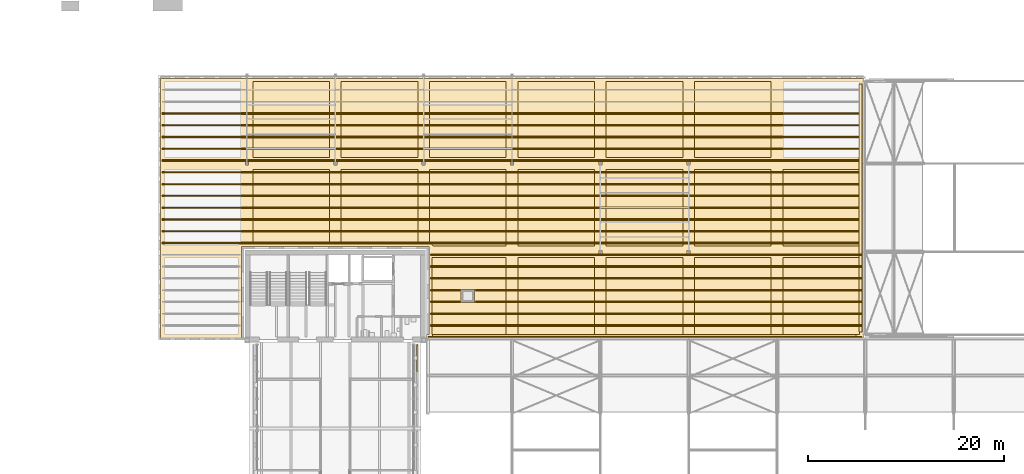
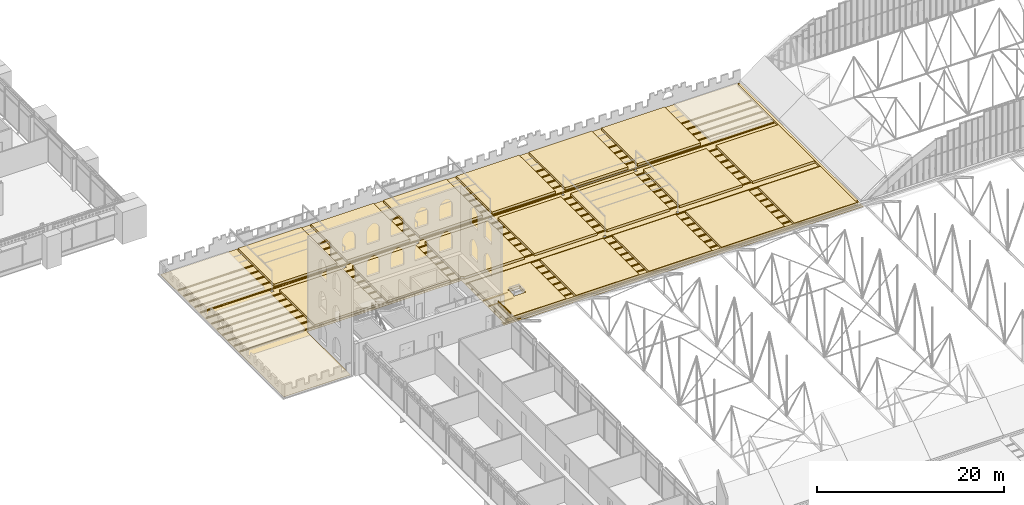
# One storey, part 143 of 153: 43 coverings, 1 shading device.
"""IFC4 building model written with IfcOpenShell, lengths in metres."""

from ifc_helpers import new_model, si_unit, direction, frame, origin, origin_2d, place, context, subcontext, project, spatial, polyline, rectangle, outline, extrude, material, layer, layer_set, type_object, element, save


model = new_model("IFC4")

# Units and contexts
model_context = context("Model", 3, precision=1e-05, world=origin(), true_north=direction((0.0, 1.0)))
body_context = subcontext(model_context, "Body", "Model", "MODEL_VIEW")
ifc_project = project(units=[si_unit("LENGTHUNIT", "METRE"), si_unit("AREAUNIT", "SQUARE_METRE"), si_unit("VOLUMEUNIT", "CUBIC_METRE"), si_unit("PLANEANGLEUNIT", "RADIAN"), si_unit("MASSUNIT", "GRAM", prefix="KILO")], contexts=[model_context])

# Site, building, storey
site_placement = place(None, origin())
site = spatial("IfcSite", under=ifc_project, at=site_placement, CompositionType="ELEMENT")
building_placement = place(site_placement, origin())
building = spatial("IfcBuilding", under=site, at=building_placement, Name="Baradari Gate Terminus", CompositionType="ELEMENT")
storey_placement = place(building_placement, frame((0.0, 0.0, 11.699951171875)))
storey = spatial("IfcBuildingStorey", under=building, at=storey_placement, Name="L02", CompositionType="ELEMENT", Elevation=11.699951171875)

# Coverings
ifc_material_1 = material(Name="Galvanised steel", Category="steel")
ifc_layer_1 = layer(ifc_material_1, 0.0029296875)
ifc_layer_set_1 = layer_set([ifc_layer_1], Name="Galvanised steel")
covering_type_1 = type_object("IfcCoveringType", Name="Eaves gutter GT-1", PredefinedType="USERDEFINED", material=ifc_layer_set_1)
covering_1_placement = place(storey_placement, frame((134.481201171875, 94.47509765625, 0.080078125), z_axis=(0.0, 0.0, 1.0), x_axis=(1.0, 0.0, 0.0)))
element("IfcCovering", 1, at=covering_1_placement, inside=storey, type_object=covering_type_1, Name="Eaves gutter W", ObjectType="GUTTER", PredefinedType="USERDEFINED", context=body_context, shape_type="SweptSolid", body=[
    extrude(rectangle(XDim=0.300048828125, YDim=25.25, at=origin_2d()), origin(), (0.0, 0.0, 1.0), 0.27001953125),
])
covering_2_placement = place(storey_placement, frame((112.4658203125, 81.449951171875, 0.030029296875), z_axis=(0.0, 0.0, 1.0), x_axis=(1.0, 0.0, 0.0)))
element("IfcCovering", 2, at=covering_2_placement, inside=storey, type_object=covering_type_1, Name="Eaves gutter SW", ObjectType="GUTTER", PredefinedType="USERDEFINED", context=body_context, shape_type="SweptSolid", body=[
    extrude(rectangle(XDim=43.13134765625, YDim=0.25, at=origin_2d()), origin(), (0.0, 0.0, 1.0), 0.27001953125),
])

# Shading device
ifc_material_2 = material(Name="Concrete C50/60 precast", Category="concrete")
ifc_layer_2 = layer(ifc_material_2, 0.080078125)
ifc_layer_set_2 = layer_set([ifc_layer_2], Name="Concrete C50/60 precast")
shading_device_type = type_object("IfcShadingDeviceType", Name="Jali screen panel JS-3 80", PredefinedType="SHUTTER", material=ifc_layer_set_2)
shading_device_placement = place(storey_placement, frame((89.340087890625, 77.836669921875, 3.280029296875), z_axis=(0.0, 0.0, 1.0), x_axis=(0.0, 1.0, 0.0)))
element("IfcShadingDevice", 3, at=shading_device_placement, inside=storey, type_object=shading_device_type, Name="Jali screen panel JS-1 L02/GE5 bay 3", PredefinedType="SHUTTER", context=body_context, shape_type="SweptSolid", body=[
    extrude(outline(polyline([(0.0, 0.0), (2.723388671875, 0.0), (2.723388671875, 0.60009765625), (0.0, 0.60009765625), (0.0, 0.0)]), holes=[polyline([(0.35693359375, 0.300048828125), (0.2919921875, 0.1875), (0.161865234375, 0.1875), (0.096923828125, 0.300048828125), (0.161865234375, 0.41259765625), (0.2919921875, 0.41259765625), (0.35693359375, 0.300048828125)]), polyline([(0.810791015625, 0.300048828125), (0.745849609375, 0.1875), (0.61572265625, 0.1875), (0.55078125, 0.300048828125), (0.61572265625, 0.41259765625), (0.745849609375, 0.41259765625), (0.810791015625, 0.300048828125)]), polyline([(1.2646484375, 0.300048828125), (1.19970703125, 0.1875), (1.06982421875, 0.1875), (1.004638671875, 0.300048828125), (1.06982421875, 0.41259765625), (1.19970703125, 0.41259765625), (1.2646484375, 0.300048828125)]), polyline([(1.718505859375, 0.300048828125), (1.653564453125, 0.1875), (1.523681640625, 0.1875), (1.45849609375, 0.300048828125), (1.523681640625, 0.41259765625), (1.653564453125, 0.41259765625), (1.718505859375, 0.300048828125)]), polyline([(2.172607421875, 0.300048828125), (2.107421875, 0.1875), (1.9775390625, 0.1875), (1.91259765625, 0.300048828125), (1.9775390625, 0.41259765625), (2.107421875, 0.41259765625), (2.172607421875, 0.300048828125)]), polyline([(2.62646484375, 0.300048828125), (2.561279296875, 0.1875), (2.431396484375, 0.1875), (2.366455078125, 0.300048828125), (2.431396484375, 0.41259765625), (2.561279296875, 0.41259765625), (2.62646484375, 0.300048828125)])]), frame((0.0, 0.0400390625, 0.0), z_axis=(0.0, -1.0, 0.0), x_axis=(1.0, 0.0, 0.0)), (0.0, 0.0, 1.0), 0.080078125),
])

# Coverings
ifc_material_3 = material(Name="Planted substrate")
ifc_layer_3 = layer(ifc_material_3, 0.35009765625)
ifc_layer_set_3 = layer_set([ifc_layer_3], Name="Planted substrate")
covering_type_2 = type_object("IfcCoveringType", Name="Planted roof bed GR-1 350", PredefinedType="USERDEFINED", material=ifc_layer_set_3)
covering_3_placement = place(storey_placement, origin())
element("IfcCovering", 4, at=covering_3_placement, inside=storey, type_object=covering_type_2, Name="RF/L02/GRW0202-1", ObjectType="PLANTED BED", PredefinedType="USERDEFINED", context=body_context, shape_type="SweptSolid", body=[
    extrude(outline(polyline([(80.39990234375, 98.39990234375), (80.39990234375, 90.85009765625), (72.60009765625, 90.85009765625), (72.60009765625, 98.39990234375), (80.39990234375, 98.39990234375)])), origin(), (0.0, 0.0, 1.0), 0.35009765625),
])
covering_4_placement = place(storey_placement, origin())
element("IfcCovering", 5, at=covering_4_placement, inside=storey, type_object=covering_type_2, Name="RF/L02/GRW0203-1", ObjectType="PLANTED BED", PredefinedType="USERDEFINED", context=body_context, shape_type="SweptSolid", body=[
    extrude(outline(polyline([(72.60009765625, 107.353515625), (80.39990234375, 107.353515625), (80.39990234375, 99.60009765625), (72.60009765625, 99.60009765625), (72.60009765625, 107.353515625)])), origin(), (0.0, 0.0, 1.0), 0.35009765625),
])
covering_5_placement = place(storey_placement, origin())
element("IfcCovering", 6, at=covering_5_placement, inside=storey, type_object=covering_type_2, Name="RF/L02/GRW0302-1", ObjectType="PLANTED BED", PredefinedType="USERDEFINED", context=body_context, shape_type="SweptSolid", body=[
    extrude(outline(polyline([(89.39990234375, 98.39990234375), (89.39990234375, 90.85009765625), (81.60009765625, 90.85009765625), (81.60009765625, 98.39990234375), (89.39990234375, 98.39990234375)])), origin(), (0.0, 0.0, 1.0), 0.35009765625),
])
covering_6_placement = place(storey_placement, origin())
element("IfcCovering", 7, at=covering_6_placement, inside=storey, type_object=covering_type_2, Name="RF/L02/GRW0303-1", ObjectType="PLANTED BED", PredefinedType="USERDEFINED", context=body_context, shape_type="SweptSolid", body=[
    extrude(outline(polyline([(81.60009765625, 107.353515625), (89.39990234375, 107.353515625), (89.39990234375, 99.60009765625), (81.60009765625, 99.60009765625), (81.60009765625, 107.353515625)])), origin(), (0.0, 0.0, 1.0), 0.35009765625),
])
covering_7_placement = place(storey_placement, origin())
element("IfcCovering", 8, at=covering_7_placement, inside=storey, type_object=covering_type_2, Name="RF/L02/GRW0401-1", ObjectType="PLANTED BED", PredefinedType="USERDEFINED", context=body_context, shape_type="SweptSolid", body=[
    extrude(outline(polyline([(98.39990234375, 81.60009765625), (90.85009765625, 81.60009765625), (90.85009765625, 89.39990234375), (98.39990234375, 89.39990234375), (98.39990234375, 81.60009765625)]), holes=[polyline([(95.224365234375, 84.999267578125), (95.216552734375, 85.006103515625), (95.20849609375, 85.01220703125), (95.199462890625, 85.017578125), (95.190185546875, 85.02197265625), (95.180419921875, 85.025390625), (95.179931640625, 85.025634765625), (95.179931640625, 85.974365234375), (95.180419921875, 85.974609375), (95.190185546875, 85.97802734375), (95.199462890625, 85.982421875), (95.20849609375, 85.98779296875), (95.216552734375, 85.993896484375), (95.224365234375, 86.000732421875), (95.231201171875, 86.00830078125), (95.2373046875, 86.0166015625), (95.24267578125, 86.025390625), (95.2470703125, 86.034912109375), (95.25048828125, 86.04443359375), (95.2529296875, 86.054443359375), (95.25439453125, 86.064697265625), (95.2548828125, 86.074951171875), (95.25439453125, 86.085205078125), (95.2529296875, 86.095458984375), (95.25048828125, 86.10546875), (95.2470703125, 86.115234375), (95.24267578125, 86.12451171875), (95.2373046875, 86.13330078125), (95.231201171875, 86.1416015625), (95.224365234375, 86.1494140625), (95.216552734375, 86.15625), (95.20849609375, 86.162353515625), (95.199462890625, 86.16748046875), (95.190185546875, 86.172119140625), (95.180419921875, 86.175537109375), (95.17041015625, 86.177978515625), (95.160400390625, 86.179443359375), (95.150634765625, 86.179931640625), (93.849365234375, 86.179931640625), (93.839599609375, 86.179443359375), (93.82958984375, 86.177978515625), (93.819580078125, 86.175537109375), (93.809814453125, 86.172119140625), (93.800537109375, 86.16748046875), (93.79150390625, 86.162353515625), (93.783447265625, 86.15625), (93.775634765625, 86.1494140625), (93.768798828125, 86.1416015625), (93.7626953125, 86.13330078125), (93.75732421875, 86.12451171875), (93.7529296875, 86.115234375), (93.74951171875, 86.10546875), (93.7470703125, 86.095458984375), (93.74560546875, 86.085205078125), (93.7451171875, 86.074951171875), (93.74560546875, 86.064697265625), (93.7470703125, 86.054443359375), (93.74951171875, 86.04443359375), (93.7529296875, 86.034912109375), (93.75732421875, 86.025390625), (93.7626953125, 86.0166015625), (93.768798828125, 86.00830078125), (93.775634765625, 86.000732421875), (93.783447265625, 85.993896484375), (93.79150390625, 85.98779296875), (93.800537109375, 85.982421875), (93.809814453125, 85.97802734375), (93.819580078125, 85.974609375), (93.820068359375, 85.974365234375), (93.820068359375, 85.025634765625), (93.819580078125, 85.025390625), (93.809814453125, 85.02197265625), (93.800537109375, 85.017578125), (93.79150390625, 85.01220703125), (93.783447265625, 85.006103515625), (93.775634765625, 84.999267578125), (93.768798828125, 84.99169921875), (93.7626953125, 84.9833984375), (93.75732421875, 84.974609375), (93.7529296875, 84.965087890625), (93.74951171875, 84.95556640625), (93.7470703125, 84.945556640625), (93.74560546875, 84.935302734375), (93.7451171875, 84.925048828125), (93.74560546875, 84.914794921875), (93.7470703125, 84.904541015625), (93.74951171875, 84.89453125), (93.7529296875, 84.884765625), (93.75732421875, 84.87548828125), (93.7626953125, 84.86669921875), (93.768798828125, 84.8583984375), (93.775634765625, 84.8505859375), (93.783447265625, 84.84375), (93.79150390625, 84.837646484375), (93.800537109375, 84.83251953125), (93.809814453125, 84.827880859375), (93.819580078125, 84.824462890625), (93.82958984375, 84.822021484375), (93.839599609375, 84.820556640625), (93.849365234375, 84.820068359375), (95.150634765625, 84.820068359375), (95.160400390625, 84.820556640625), (95.17041015625, 84.822021484375), (95.180419921875, 84.824462890625), (95.190185546875, 84.827880859375), (95.199462890625, 84.83251953125), (95.20849609375, 84.837646484375), (95.216552734375, 84.84375), (95.224365234375, 84.8505859375), (95.231201171875, 84.8583984375), (95.2373046875, 84.86669921875), (95.24267578125, 84.87548828125), (95.2470703125, 84.884765625), (95.25048828125, 84.89453125), (95.2529296875, 84.904541015625), (95.25439453125, 84.914794921875), (95.2548828125, 84.925048828125), (95.25439453125, 84.935302734375), (95.2529296875, 84.945556640625), (95.25048828125, 84.95556640625), (95.2470703125, 84.965087890625), (95.24267578125, 84.974609375), (95.2373046875, 84.9833984375), (95.231201171875, 84.99169921875), (95.224365234375, 84.999267578125)])]), origin(), (0.0, 0.0, 1.0), 0.35009765625),
])
covering_8_placement = place(storey_placement, origin())
element("IfcCovering", 9, at=covering_8_placement, inside=storey, type_object=covering_type_2, Name="RF/L02/GRW0402-1", ObjectType="PLANTED BED", PredefinedType="USERDEFINED", context=body_context, shape_type="SweptSolid", body=[
    extrude(outline(polyline([(90.60009765625, 98.39990234375), (98.39990234375, 98.39990234375), (98.39990234375, 90.60009765625), (90.93701171875, 90.60009765625), (90.936767578125, 90.60107421875), (90.931396484375, 90.6123046875), (90.91748046875, 90.63818359375), (90.911376953125, 90.648681640625), (90.89501953125, 90.673095703125), (90.8876953125, 90.68310546875), (90.868896484375, 90.705810546875), (90.860595703125, 90.71484375), (90.83984375, 90.735595703125), (90.830810546875, 90.743896484375), (90.80810546875, 90.7626953125), (90.798095703125, 90.77001953125), (90.773681640625, 90.786376953125), (90.76318359375, 90.79248046875), (90.7373046875, 90.806396484375), (90.72607421875, 90.811767578125), (90.698974609375, 90.822998046875), (90.6875, 90.8271484375), (90.6591796875, 90.835693359375), (90.647216796875, 90.838623046875), (90.618408203125, 90.844482421875), (90.606201171875, 90.84619140625), (90.60009765625, 90.8466796875), (90.60009765625, 98.39990234375)])), origin(), (0.0, 0.0, 1.0), 0.35009765625),
])
covering_9_placement = place(storey_placement, origin())
element("IfcCovering", 10, at=covering_9_placement, inside=storey, type_object=covering_type_2, Name="RF/L02/GRW0403-1", ObjectType="PLANTED BED", PredefinedType="USERDEFINED", context=body_context, shape_type="SweptSolid", body=[
    extrude(outline(polyline([(90.60009765625, 107.353515625), (98.39990234375, 107.353515625), (98.39990234375, 99.60009765625), (90.60009765625, 99.60009765625), (90.60009765625, 107.353515625)])), origin(), (0.0, 0.0, 1.0), 0.35009765625),
])
covering_10_placement = place(storey_placement, origin())
element("IfcCovering", 11, at=covering_10_placement, inside=storey, type_object=covering_type_2, Name="RF/L02/GRW0501-1", ObjectType="PLANTED BED", PredefinedType="USERDEFINED", context=body_context, shape_type="SweptSolid", body=[
    extrude(outline(polyline([(99.60009765625, 89.39990234375), (107.39990234375, 89.39990234375), (107.39990234375, 81.60009765625), (99.60009765625, 81.60009765625), (99.60009765625, 89.39990234375)])), origin(), (0.0, 0.0, 1.0), 0.35009765625),
])
covering_11_placement = place(storey_placement, origin())
element("IfcCovering", 12, at=covering_11_placement, inside=storey, type_object=covering_type_2, Name="RF/L02/GRW0502-1", ObjectType="PLANTED BED", PredefinedType="USERDEFINED", context=body_context, shape_type="SweptSolid", body=[
    extrude(outline(polyline([(99.60009765625, 98.39990234375), (107.39990234375, 98.39990234375), (107.39990234375, 90.60009765625), (99.60009765625, 90.60009765625), (99.60009765625, 98.39990234375)])), origin(), (0.0, 0.0, 1.0), 0.35009765625),
])
covering_12_placement = place(storey_placement, origin())
element("IfcCovering", 13, at=covering_12_placement, inside=storey, type_object=covering_type_2, Name="RF/L02/GRW0503-1", ObjectType="PLANTED BED", PredefinedType="USERDEFINED", context=body_context, shape_type="SweptSolid", body=[
    extrude(outline(polyline([(99.60009765625, 107.353515625), (107.39990234375, 107.353515625), (107.39990234375, 99.60009765625), (99.60009765625, 99.60009765625), (99.60009765625, 107.353515625)])), origin(), (0.0, 0.0, 1.0), 0.35009765625),
])
covering_13_placement = place(storey_placement, origin())
element("IfcCovering", 14, at=covering_13_placement, inside=storey, type_object=covering_type_2, Name="RF/L02/GRW0601-1", ObjectType="PLANTED BED", PredefinedType="USERDEFINED", context=body_context, shape_type="SweptSolid", body=[
    extrude(outline(polyline([(108.60009765625, 89.39990234375), (116.39990234375, 89.39990234375), (116.39990234375, 81.60009765625), (108.60009765625, 81.60009765625), (108.60009765625, 89.39990234375)])), origin(), (0.0, 0.0, 1.0), 0.35009765625),
])
covering_14_placement = place(storey_placement, origin())
element("IfcCovering", 15, at=covering_14_placement, inside=storey, type_object=covering_type_2, Name="RF/L02/GRW0602-1", ObjectType="PLANTED BED", PredefinedType="USERDEFINED", context=body_context, shape_type="SweptSolid", body=[
    extrude(outline(polyline([(108.60009765625, 98.39990234375), (116.39990234375, 98.39990234375), (116.39990234375, 90.60009765625), (108.60009765625, 90.60009765625), (108.60009765625, 98.39990234375)])), origin(), (0.0, 0.0, 1.0), 0.35009765625),
])
covering_15_placement = place(storey_placement, origin())
element("IfcCovering", 16, at=covering_15_placement, inside=storey, type_object=covering_type_2, Name="RF/L02/GRW0603-1", ObjectType="PLANTED BED", PredefinedType="USERDEFINED", context=body_context, shape_type="SweptSolid", body=[
    extrude(outline(polyline([(108.60009765625, 107.353515625), (116.39990234375, 107.353515625), (116.39990234375, 99.60009765625), (108.60009765625, 99.60009765625), (108.60009765625, 107.353515625)])), origin(), (0.0, 0.0, 1.0), 0.35009765625),
])
covering_16_placement = place(storey_placement, origin())
element("IfcCovering", 17, at=covering_16_placement, inside=storey, type_object=covering_type_2, Name="RF/L02/GRW0701-1", ObjectType="PLANTED BED", PredefinedType="USERDEFINED", context=body_context, shape_type="SweptSolid", body=[
    extrude(outline(polyline([(117.60009765625, 89.39990234375), (125.39990234375, 89.39990234375), (125.39990234375, 81.60009765625), (117.60009765625, 81.60009765625), (117.60009765625, 89.39990234375)])), origin(), (0.0, 0.0, 1.0), 0.35009765625),
])
covering_17_placement = place(storey_placement, origin())
element("IfcCovering", 18, at=covering_17_placement, inside=storey, type_object=covering_type_2, Name="RF/L02/GRW0702-1", ObjectType="PLANTED BED", PredefinedType="USERDEFINED", context=body_context, shape_type="SweptSolid", body=[
    extrude(outline(polyline([(117.60009765625, 98.39990234375), (125.39990234375, 98.39990234375), (125.39990234375, 90.60009765625), (117.60009765625, 90.60009765625), (117.60009765625, 98.39990234375)])), origin(), (0.0, 0.0, 1.0), 0.35009765625),
])
covering_18_placement = place(storey_placement, origin())
element("IfcCovering", 19, at=covering_18_placement, inside=storey, type_object=covering_type_2, Name="RF/L02/GRW0703-1", ObjectType="PLANTED BED", PredefinedType="USERDEFINED", context=body_context, shape_type="SweptSolid", body=[
    extrude(outline(polyline([(117.60009765625, 107.353515625), (125.39990234375, 107.353515625), (125.39990234375, 99.60009765625), (117.60009765625, 99.60009765625), (117.60009765625, 107.353515625)])), origin(), (0.0, 0.0, 1.0), 0.35009765625),
])
covering_19_placement = place(storey_placement, origin())
element("IfcCovering", 20, at=covering_19_placement, inside=storey, type_object=covering_type_2, Name="RF/L02/GRW0801-1", ObjectType="PLANTED BED", PredefinedType="USERDEFINED", context=body_context, shape_type="SweptSolid", body=[
    extrude(outline(polyline([(126.60009765625, 81.60009765625), (126.60009765625, 89.39990234375), (134.39990234375, 89.39990234375), (134.39990234375, 81.60009765625), (126.60009765625, 81.60009765625)])), origin(), (0.0, 0.0, 1.0), 0.35009765625),
])
covering_20_placement = place(storey_placement, origin())
element("IfcCovering", 21, at=covering_20_placement, inside=storey, type_object=covering_type_2, Name="RF/L02/GRW0802-1", ObjectType="PLANTED BED", PredefinedType="USERDEFINED", context=body_context, shape_type="SweptSolid", body=[
    extrude(outline(polyline([(126.60009765625, 90.60009765625), (126.60009765625, 98.39990234375), (134.39990234375, 98.39990234375), (134.39990234375, 90.60009765625), (126.60009765625, 90.60009765625)])), origin(), (0.0, 0.0, 1.0), 0.35009765625),
])
ifc_material_4 = material(Name="Terracotta paving", Category="masonry")
ifc_layer_4 = layer(ifc_material_4, 0.030029296875)
ifc_layer_set_4 = layer_set([ifc_layer_4], Name="Terracotta paving")
covering_type_3 = type_object("IfcCoveringType", Name="Terracotta paving RP-1 30", PredefinedType="FLOORING", material=ifc_layer_set_4)
covering_21_placement = place(storey_placement, origin())
element("IfcCovering", 22, at=covering_21_placement, inside=storey, type_object=covering_type_3, Name="Terracotta paving RP-1 head-roof-west", PredefinedType="FLOORING", context=body_context, shape_type="SweptSolid", body=[
    extrude(outline(polyline([(63.199951171875, 107.653564453125), (134.800048828125, 107.653564453125), (134.800048828125, 81.0), (90.300048828125, 81.0), (90.300048828125, 81.60009765625), (90.550048828125, 81.60009765625), (90.550048828125, 90.550048828125), (71.449951171875, 90.550048828125), (71.449951171875, 81.22509765625), (63.199951171875, 81.22509765625), (63.199951171875, 107.653564453125)]), holes=[polyline([(116.85009765625, 89.85009765625), (117.14990234375, 89.85009765625), (117.14990234375, 90.14990234375), (116.85009765625, 90.14990234375), (116.85009765625, 89.85009765625)]), polyline([(116.85009765625, 99.14990234375), (116.85009765625, 98.85009765625), (117.14990234375, 98.85009765625), (117.14990234375, 99.14990234375), (116.85009765625, 99.14990234375)]), polyline([(107.85009765625, 90.14990234375), (107.85009765625, 89.85009765625), (108.14990234375, 89.85009765625), (108.14990234375, 90.14990234375), (107.85009765625, 90.14990234375)]), polyline([(107.85009765625, 99.14990234375), (107.85009765625, 98.85009765625), (108.14990234375, 98.85009765625), (108.14990234375, 99.14990234375), (107.85009765625, 99.14990234375)]), polyline([(98.85009765625, 98.85009765625), (99.14990234375, 98.85009765625), (99.14990234375, 99.14990234375), (98.85009765625, 99.14990234375), (98.85009765625, 98.85009765625)]), polyline([(95.14990234375, 86.14990234375), (93.85009765625, 86.14990234375), (93.85009765625, 84.85009765625), (95.14990234375, 84.85009765625), (95.14990234375, 86.14990234375)]), polyline([(89.85009765625, 98.85009765625), (90.14990234375, 98.85009765625), (90.14990234375, 99.14990234375), (89.85009765625, 99.14990234375), (89.85009765625, 98.85009765625)]), polyline([(80.85009765625, 99.14990234375), (80.85009765625, 98.85009765625), (81.14990234375, 98.85009765625), (81.14990234375, 99.14990234375), (80.85009765625, 99.14990234375)]), polyline([(71.85009765625, 98.85009765625), (72.14990234375, 98.85009765625), (72.14990234375, 99.14990234375), (71.85009765625, 99.14990234375), (71.85009765625, 98.85009765625)])]), origin(), (0.0, 0.0, 1.0), 0.030029296875),
])
ifc_material_5 = material(Name="Terracotta paving", Category="masonry")
ifc_layer_5 = layer(ifc_material_5, 0.050048828125)
ifc_layer_set_5 = layer_set([ifc_layer_5], Name="Terracotta paving")
covering_type_4 = type_object("IfcCoveringType", Name="Terracotta tile course RP-2 50", PredefinedType="FLOORING", material=ifc_layer_set_5)
covering_22_placement = place(storey_placement, frame((0.0, 0.0, 0.030029296875)))
element("IfcCovering", 23, at=covering_22_placement, inside=storey, type_object=covering_type_4, Name="Terracotta tile course RP-2 head-roof-west", PredefinedType="FLOORING", context=body_context, shape_type="SweptSolid", body=[
    extrude(outline(polyline([(134.64990234375, 81.239990234375), (134.64990234375, 81.360107421875), (90.449951171875, 81.360107421875), (90.449951171875, 81.239990234375), (134.64990234375, 81.239990234375)])), origin(), (0.0, 0.0, 1.0), 0.050048828125),
])
covering_23_placement = place(storey_placement, frame((0.0, 0.0, 0.030029296875)))
element("IfcCovering", 24, at=covering_23_placement, inside=storey, type_object=covering_type_4, Name="Terracotta tile course RP-2 head-roof-west", PredefinedType="FLOORING", context=body_context, shape_type="SweptSolid", body=[
    extrude(outline(polyline([(134.64990234375, 82.43994140625), (134.64990234375, 82.56005859375), (90.699951171875, 82.56005859375), (90.699951171875, 82.43994140625), (134.64990234375, 82.43994140625)])), origin(), (0.0, 0.0, 1.0), 0.050048828125),
])
covering_24_placement = place(storey_placement, frame((0.0, 0.0, 0.030029296875)))
element("IfcCovering", 25, at=covering_24_placement, inside=storey, type_object=covering_type_4, Name="Terracotta tile course RP-2 head-roof-west", PredefinedType="FLOORING", context=body_context, shape_type="SweptSolid", body=[
    extrude(outline(polyline([(134.64990234375, 83.639892578125), (134.64990234375, 83.760009765625), (90.699951171875, 83.760009765625), (90.699951171875, 83.639892578125), (134.64990234375, 83.639892578125)])), origin(), (0.0, 0.0, 1.0), 0.050048828125),
])
covering_25_placement = place(storey_placement, frame((0.0, 0.0, 0.030029296875)))
element("IfcCovering", 26, at=covering_25_placement, inside=storey, type_object=covering_type_4, Name="Terracotta tile course RP-2 head-roof-west", PredefinedType="FLOORING", context=body_context, shape_type="SweptSolid", body=[
    extrude(outline(polyline([(134.64990234375, 84.840087890625), (134.64990234375, 84.9599609375), (95.299560546875, 84.9599609375), (95.299560546875, 84.840087890625), (134.64990234375, 84.840087890625)])), origin(), (0.0, 0.0, 1.0), 0.050048828125),
])
covering_26_placement = place(storey_placement, frame((0.0, 0.0, 0.030029296875)))
element("IfcCovering", 27, at=covering_26_placement, inside=storey, type_object=covering_type_4, Name="Terracotta tile course RP-2 head-roof-west", PredefinedType="FLOORING", context=body_context, shape_type="SweptSolid", body=[
    extrude(outline(polyline([(93.700439453125, 84.840087890625), (93.700439453125, 84.9599609375), (90.699951171875, 84.9599609375), (90.699951171875, 84.840087890625), (93.700439453125, 84.840087890625)])), origin(), (0.0, 0.0, 1.0), 0.050048828125),
])
covering_27_placement = place(storey_placement, frame((0.0, 0.0, 0.030029296875)))
element("IfcCovering", 28, at=covering_27_placement, inside=storey, type_object=covering_type_4, Name="Terracotta tile course RP-2 head-roof-west", PredefinedType="FLOORING", context=body_context, shape_type="SweptSolid", body=[
    extrude(outline(polyline([(134.64990234375, 86.0400390625), (134.64990234375, 86.159912109375), (95.299560546875, 86.159912109375), (95.299560546875, 86.0400390625), (134.64990234375, 86.0400390625)])), origin(), (0.0, 0.0, 1.0), 0.050048828125),
])
covering_28_placement = place(storey_placement, frame((0.0, 0.0, 0.030029296875)))
element("IfcCovering", 29, at=covering_28_placement, inside=storey, type_object=covering_type_4, Name="Terracotta tile course RP-2 head-roof-west", PredefinedType="FLOORING", context=body_context, shape_type="SweptSolid", body=[
    extrude(outline(polyline([(93.700439453125, 86.0400390625), (93.700439453125, 86.159912109375), (90.699951171875, 86.159912109375), (90.699951171875, 86.0400390625), (93.700439453125, 86.0400390625)])), origin(), (0.0, 0.0, 1.0), 0.050048828125),
])
covering_29_placement = place(storey_placement, frame((0.0, 0.0, 0.030029296875)))
element("IfcCovering", 30, at=covering_29_placement, inside=storey, type_object=covering_type_4, Name="Terracotta tile course RP-2 head-roof-west", PredefinedType="FLOORING", context=body_context, shape_type="SweptSolid", body=[
    extrude(outline(polyline([(134.64990234375, 87.239990234375), (134.64990234375, 87.360107421875), (90.699951171875, 87.360107421875), (90.699951171875, 87.239990234375), (134.64990234375, 87.239990234375)])), origin(), (0.0, 0.0, 1.0), 0.050048828125),
])
covering_30_placement = place(storey_placement, frame((0.0, 0.0, 0.030029296875)))
element("IfcCovering", 31, at=covering_30_placement, inside=storey, type_object=covering_type_4, Name="Terracotta tile course RP-2 head-roof-west", PredefinedType="FLOORING", context=body_context, shape_type="SweptSolid", body=[
    extrude(outline(polyline([(134.64990234375, 88.43994140625), (134.64990234375, 88.56005859375), (90.699951171875, 88.56005859375), (90.699951171875, 88.43994140625), (134.64990234375, 88.43994140625)])), origin(), (0.0, 0.0, 1.0), 0.050048828125),
])
covering_31_placement = place(storey_placement, frame((0.0, 0.0, 0.030029296875)))
element("IfcCovering", 32, at=covering_31_placement, inside=storey, type_object=covering_type_4, Name="Terracotta tile course RP-2 head-roof-west", PredefinedType="FLOORING", context=body_context, shape_type="SweptSolid", body=[
    extrude(outline(polyline([(134.64990234375, 89.639892578125), (134.64990234375, 89.760009765625), (90.699951171875, 89.760009765625), (90.699951171875, 89.639892578125), (134.64990234375, 89.639892578125)])), origin(), (0.0, 0.0, 1.0), 0.050048828125),
])
covering_32_placement = place(storey_placement, frame((0.0, 0.0, 0.030029296875)))
element("IfcCovering", 33, at=covering_32_placement, inside=storey, type_object=covering_type_4, Name="Terracotta tile course RP-2 head-roof-west", PredefinedType="FLOORING", context=body_context, shape_type="SweptSolid", body=[
    extrude(outline(polyline([(134.64990234375, 90.840087890625), (134.64990234375, 90.9599609375), (63.35009765625, 90.9599609375), (63.35009765625, 90.840087890625), (134.64990234375, 90.840087890625)])), origin(), (0.0, 0.0, 1.0), 0.050048828125),
])
covering_33_placement = place(storey_placement, frame((0.0, 0.0, 0.030029296875)))
element("IfcCovering", 34, at=covering_33_placement, inside=storey, type_object=covering_type_4, Name="Terracotta tile course RP-2 head-roof-west", PredefinedType="FLOORING", context=body_context, shape_type="SweptSolid", body=[
    extrude(outline(polyline([(134.64990234375, 92.0400390625), (134.64990234375, 92.159912109375), (63.35009765625, 92.159912109375), (63.35009765625, 92.0400390625), (134.64990234375, 92.0400390625)])), origin(), (0.0, 0.0, 1.0), 0.050048828125),
])
covering_34_placement = place(storey_placement, frame((0.0, 0.0, 0.030029296875)))
element("IfcCovering", 35, at=covering_34_placement, inside=storey, type_object=covering_type_4, Name="Terracotta tile course RP-2 head-roof-west", PredefinedType="FLOORING", context=body_context, shape_type="SweptSolid", body=[
    extrude(outline(polyline([(134.64990234375, 93.239990234375), (134.64990234375, 93.360107421875), (63.35009765625, 93.360107421875), (63.35009765625, 93.239990234375), (134.64990234375, 93.239990234375)])), origin(), (0.0, 0.0, 1.0), 0.050048828125),
])
covering_35_placement = place(storey_placement, frame((0.0, 0.0, 0.030029296875)))
element("IfcCovering", 36, at=covering_35_placement, inside=storey, type_object=covering_type_4, Name="Terracotta tile course RP-2 head-roof-west", PredefinedType="FLOORING", context=body_context, shape_type="SweptSolid", body=[
    extrude(outline(polyline([(134.64990234375, 94.43994140625), (134.64990234375, 94.56005859375), (63.35009765625, 94.56005859375), (63.35009765625, 94.43994140625), (134.64990234375, 94.43994140625)])), origin(), (0.0, 0.0, 1.0), 0.050048828125),
])
covering_36_placement = place(storey_placement, frame((0.0, 0.0, 0.030029296875)))
element("IfcCovering", 37, at=covering_36_placement, inside=storey, type_object=covering_type_4, Name="Terracotta tile course RP-2 head-roof-west", PredefinedType="FLOORING", context=body_context, shape_type="SweptSolid", body=[
    extrude(outline(polyline([(134.64990234375, 95.639892578125), (134.64990234375, 95.760009765625), (63.35009765625, 95.760009765625), (63.35009765625, 95.639892578125), (134.64990234375, 95.639892578125)])), origin(), (0.0, 0.0, 1.0), 0.050048828125),
])
covering_37_placement = place(storey_placement, frame((0.0, 0.0, 0.030029296875)))
element("IfcCovering", 38, at=covering_37_placement, inside=storey, type_object=covering_type_4, Name="Terracotta tile course RP-2 head-roof-west", PredefinedType="FLOORING", context=body_context, shape_type="SweptSolid", body=[
    extrude(outline(polyline([(134.64990234375, 96.840087890625), (134.64990234375, 96.9599609375), (63.35009765625, 96.9599609375), (63.35009765625, 96.840087890625), (134.64990234375, 96.840087890625)])), origin(), (0.0, 0.0, 1.0), 0.050048828125),
])
covering_38_placement = place(storey_placement, frame((0.0, 0.0, 0.030029296875)))
element("IfcCovering", 39, at=covering_38_placement, inside=storey, type_object=covering_type_4, Name="Terracotta tile course RP-2 head-roof-west", PredefinedType="FLOORING", context=body_context, shape_type="SweptSolid", body=[
    extrude(outline(polyline([(134.64990234375, 98.0400390625), (134.64990234375, 98.159912109375), (63.35009765625, 98.159912109375), (63.35009765625, 98.0400390625), (134.64990234375, 98.0400390625)])), origin(), (0.0, 0.0, 1.0), 0.050048828125),
])
covering_39_placement = place(storey_placement, frame((0.0, 0.0, 0.030029296875)))
element("IfcCovering", 40, at=covering_39_placement, inside=storey, type_object=covering_type_4, Name="Terracotta tile course RP-2 head-roof-west", PredefinedType="FLOORING", context=body_context, shape_type="SweptSolid", body=[
    extrude(outline(polyline([(134.64990234375, 99.239990234375), (134.64990234375, 99.360107421875), (63.35009765625, 99.360107421875), (63.35009765625, 99.239990234375), (134.64990234375, 99.239990234375)])), origin(), (0.0, 0.0, 1.0), 0.050048828125),
])
covering_40_placement = place(storey_placement, frame((0.0, 0.0, 0.030029296875)))
element("IfcCovering", 41, at=covering_40_placement, inside=storey, type_object=covering_type_4, Name="Terracotta tile course RP-2 head-roof-west", PredefinedType="FLOORING", context=body_context, shape_type="SweptSolid", body=[
    extrude(outline(polyline([(134.64990234375, 100.43994140625), (134.64990234375, 100.56005859375), (63.35009765625, 100.56005859375), (63.35009765625, 100.43994140625), (134.64990234375, 100.43994140625)])), origin(), (0.0, 0.0, 1.0), 0.050048828125),
])
covering_41_placement = place(storey_placement, frame((0.0, 0.0, 0.030029296875)))
element("IfcCovering", 42, at=covering_41_placement, inside=storey, type_object=covering_type_4, Name="Terracotta tile course RP-2 head-roof-west", PredefinedType="FLOORING", context=body_context, shape_type="SweptSolid", body=[
    extrude(outline(polyline([(134.64990234375, 101.639892578125), (134.64990234375, 101.760009765625), (63.35009765625, 101.760009765625), (63.35009765625, 101.639892578125), (134.64990234375, 101.639892578125)])), origin(), (0.0, 0.0, 1.0), 0.050048828125),
])
covering_42_placement = place(storey_placement, frame((0.0, 0.0, 0.030029296875)))
element("IfcCovering", 43, at=covering_42_placement, inside=storey, type_object=covering_type_4, Name="Terracotta tile course RP-2 head-roof-west", PredefinedType="FLOORING", context=body_context, shape_type="SweptSolid", body=[
    extrude(outline(polyline([(134.64990234375, 102.840087890625), (134.64990234375, 102.9599609375), (63.35009765625, 102.9599609375), (63.35009765625, 102.840087890625), (134.64990234375, 102.840087890625)])), origin(), (0.0, 0.0, 1.0), 0.050048828125),
])
covering_43_placement = place(storey_placement, frame((0.0, 0.0, 0.030029296875)))
element("IfcCovering", 44, at=covering_43_placement, inside=storey, type_object=covering_type_4, Name="Terracotta tile course RP-2 head-roof-west", PredefinedType="FLOORING", context=body_context, shape_type="SweptSolid", body=[
    extrude(outline(polyline([(134.64990234375, 104.0400390625), (134.64990234375, 104.159912109375), (63.35009765625, 104.159912109375), (63.35009765625, 104.0400390625), (134.64990234375, 104.0400390625)])), origin(), (0.0, 0.0, 1.0), 0.050048828125),
])

save(model, "model.ifc")
